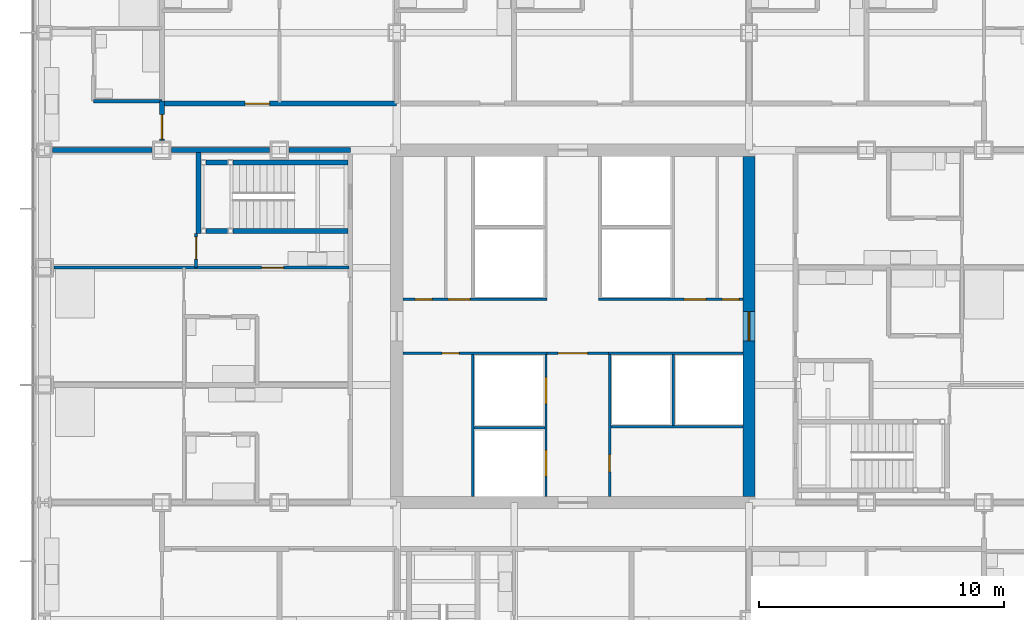
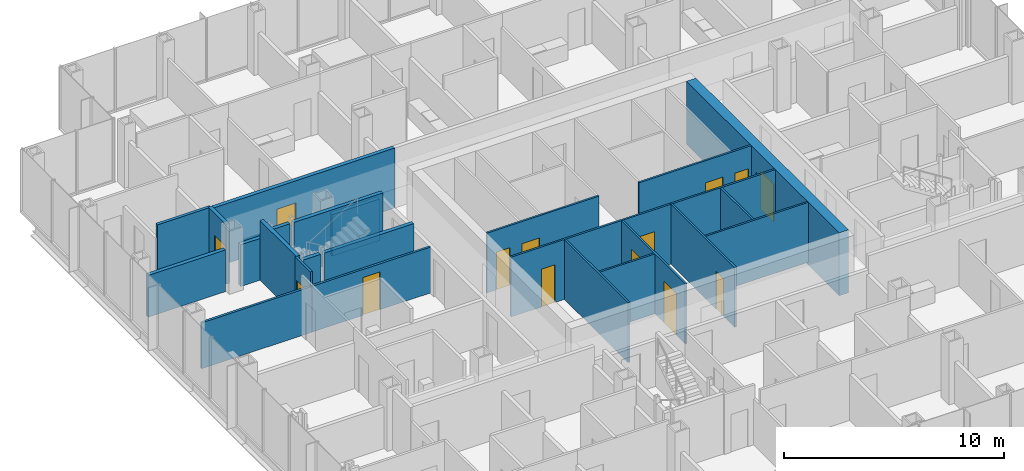
# One storey, part 15 of 21: 26 walls, 14 doors, 14 openings.
"""IFC4 building model written with IfcOpenShell, lengths in metres."""

from ifc_helpers import new_model, si_unit, direction, frame, frame_2d, origin, place, context, subcontext, project, spatial, rectangle, extrude, material, layer, layer_set, type_object, element, fill, save


model = new_model("IFC4")

# Units and contexts
model_context = context("Model", 3, precision=1e-05, world=origin(), true_north=direction((0.0, 1.0)))
body_context = subcontext(model_context, "Body", "Model", "MODEL_VIEW")
ifc_project = project(units=[si_unit("LENGTHUNIT", "METRE"), si_unit("AREAUNIT", "SQUARE_METRE"), si_unit("VOLUMEUNIT", "CUBIC_METRE"), si_unit("PLANEANGLEUNIT", "RADIAN"), si_unit("MASSUNIT", "GRAM", prefix="KILO")], contexts=[model_context])

# Site, building, storey
site_placement = place(None, origin())
site = spatial("IfcSite", under=ifc_project, at=site_placement, CompositionType="ELEMENT")
building_placement = place(site_placement, origin())
building = spatial("IfcBuilding", under=site, at=building_placement, Name="Kvirike Care Tower", CompositionType="ELEMENT")
storey_placement = place(building_placement, frame((0.0, 0.0, 30.5)))
storey = spatial("IfcBuildingStorey", under=building, at=storey_placement, Name="L07", CompositionType="ELEMENT", Elevation=30.5)

# Wall
ifc_material_1 = material(Name="Moisture-resistant board partition", Category="gypsum")
ifc_layer_1 = layer(ifc_material_1, 0.14990234375)
ifc_layer_set_1 = layer_set([ifc_layer_1], Name="BATHROOM WALL 150")
wall_type_1 = type_object("IfcWallType", Name="BATHROOM WALL 150", PredefinedType="PARTITIONING", material=ifc_layer_set_1)
wall_1_placement = place(storey_placement, frame((4.800048828125, 45.199951171875, 0.0), z_axis=(0.0, 0.0, 1.0), x_axis=(-1.0, 0.0, 0.0)))
element("IfcWall", 1, at=wall_1_placement, inside=storey, type_object=wall_type_1, Name="Bathroom Wall 150 L07", PredefinedType="PARTITIONING", context=body_context, shape_type="SweptSolid", body=[
    extrude(rectangle(XDim=2.800048828125, YDim=0.14990234375, at=frame_2d((1.39990234375, 0.0))), origin(), (0.0, 0.0, 1.0), 3.330078125),
])

# Wall, opening, door
ifc_material_2 = material(Name="Concrete C60/75", Category="concrete")
ifc_layer_2 = layer(ifc_material_2, 0.5)
ifc_layer_set_2 = layer_set([ifc_layer_2], Name="CORE WALL 500 C60-75")
wall_type_2 = type_object("IfcWallType", Name="CORE WALL 500 C60-75", PredefinedType="SHEAR", material=ifc_layer_set_2)
wall_2_placement = place(storey_placement, frame((28.800048828125, 29.050048828125, -0.169921875), z_axis=(0.0, 0.0, 1.0), x_axis=(0.0, 1.0, 0.0)))
wall_2 = element("IfcWall", 2, at=wall_2_placement, inside=storey, type_object=wall_type_2, Name="Core wall E L07", PredefinedType="SHEAR", context=body_context, shape_type="SweptSolid", body=[
    extrude(rectangle(XDim=13.89990234375, YDim=0.5, at=frame_2d((6.949951171875, 0.0))), origin(), (0.0, 0.0, 1.0), 3.5),
])
opening_1_placement = place(wall_2_placement, frame((6.35009765625, 0.0, 0.169921875)))
opening_1 = element("IfcOpeningElement", 3, at=opening_1_placement, cuts=wall_2, Name="Opening 07-081", PredefinedType="OPENING", context=body_context, shape_type="SweptSolid", body=[
    extrude(rectangle(XDim=1.199951171875, YDim=2.10009765625, at=frame_2d((0.60009765625, 1.050048828125))), frame((0.0, 0.260498046875, 0.0), z_axis=(0.0, -1.0, 0.0), x_axis=(1.0, 0.0, 0.0)), (0.0, 0.0, 1.0), 0.52099609375),
])
ifc_material_3 = material(Name="Timber door set", Category="wood")
door_type_1 = type_object("IfcDoorType", Name="CORE DOOR 1200", OperationType="SINGLE_SWING_LEFT", PredefinedType="DOOR", material=ifc_material_3)
door_1_placement = place(opening_1_placement, origin())
door_1 = element("IfcDoor", 4, at=door_1_placement, inside=storey, type_object=door_type_1, Name="Core door E L07", OperationType="SINGLE_SWING_LEFT", OverallHeight=2.10009765625, OverallWidth=1.199951171875, PredefinedType="DOOR", context=body_context, shape_type="SweptSolid", body=[
    extrude(rectangle(XDim=1.199951171875, YDim=2.10009765625, at=frame_2d((0.60009765625, 1.050048828125))), frame((0.0, 0.02685546875, 0.0), z_axis=(0.0, -1.0, 0.0), x_axis=(1.0, 0.0, 0.0)), (0.0, 0.0, 1.0), 0.053955078125),
])
fill(opening_1, door_1)

ifc_material_4 = material(Name="Plasterboard corridor wall", Category="gypsum")
ifc_layer_3 = layer(ifc_material_4, 0.199951171875)
ifc_layer_set_3 = layer_set([ifc_layer_3], Name="CORRIDOR WALL 200")
wall_type_3 = type_object("IfcWallType", Name="CORRIDOR WALL 200", PredefinedType="PARTITIONING", material=ifc_layer_set_3)
wall_3_placement = place(storey_placement, frame((14.39990234375, 45.10009765625, 0.0), z_axis=(0.0, 0.0, 1.0), x_axis=(-1.0, 0.0, 0.0)))
wall_3 = element("IfcWall", 5, at=wall_3_placement, inside=storey, type_object=wall_type_3, Name="Corridor Wall 200 L07", PredefinedType="PARTITIONING", context=body_context, shape_type="SweptSolid", body=[
    extrude(rectangle(XDim=9.599853515625, YDim=0.199951171875, at=frame_2d((4.7998046875, 0.0))), origin(), (0.0, 0.0, 1.0), 3.330078125),
])
opening_2_placement = place(wall_3_placement, frame((5.199951171875, 0.0, 0.0)))
opening_2 = element("IfcOpeningElement", 6, at=opening_2_placement, cuts=wall_3, Name="Opening 07-024", PredefinedType="OPENING", context=body_context, shape_type="SweptSolid", body=[
    extrude(rectangle(XDim=1.0, YDim=2.10009765625, at=frame_2d((0.5, 1.050048828125))), frame((0.0, 0.110595703125, 0.0), z_axis=(0.0, -1.0, 0.0), x_axis=(1.0, 0.0, 0.0)), (0.0, 0.0, 1.0), 0.220947265625),
])
ifc_material_5 = material(Name="Timber door set", Category="wood")
door_type_2 = type_object("IfcDoorType", Name="FLAT ENTRANCE DOOR 1000", OperationType="SINGLE_SWING_LEFT", PredefinedType="DOOR", material=ifc_material_5)
door_2_placement = place(opening_2_placement, frame((1.0, 0.0, 0.0), z_axis=(0.0, 0.0, 1.0), x_axis=(-1.0, 0.0, 0.0)))
door_2 = element("IfcDoor", 7, at=door_2_placement, inside=storey, type_object=door_type_2, Name="One-bedroom apartment entrance", OperationType="SINGLE_SWING_LEFT", OverallHeight=2.10009765625, OverallWidth=1.0, PredefinedType="DOOR", context=body_context, shape_type="SweptSolid", body=[
    extrude(rectangle(XDim=1.0, YDim=2.10009765625, at=frame_2d((0.5, 1.050048828125))), frame((0.0, 0.02685546875, 0.0), z_axis=(0.0, -1.0, 0.0), x_axis=(1.0, 0.0, 0.0)), (0.0, 0.0, 1.0), 0.053955078125),
])
fill(opening_2, door_2)

wall_4_placement = place(storey_placement, frame((4.800048828125, 45.199951171875, 0.0), z_axis=(0.0, 0.0, 1.0), x_axis=(0.0, -1.0, 0.0)))
wall_4 = element("IfcWall", 8, at=wall_4_placement, inside=storey, type_object=wall_type_3, Name="Corridor Wall 200 L07", PredefinedType="PARTITIONING", context=body_context, shape_type="SweptSolid", body=[
    extrude(rectangle(XDim=1.60498046875, YDim=0.199951171875, at=frame_2d((0.802490234375, 0.0))), origin(), (0.0, 0.0, 1.0), 3.330078125),
])
opening_3_placement = place(wall_4_placement, frame((0.550048828125, 0.0, 0.0)))
opening_3 = element("IfcOpeningElement", 9, at=opening_3_placement, cuts=wall_4, Name="Opening 07-025", PredefinedType="OPENING", context=body_context, shape_type="SweptSolid", body=[
    extrude(rectangle(XDim=1.0, YDim=2.10009765625, at=frame_2d((0.5, 1.050048828125))), frame((0.0, 0.110595703125, 0.0), z_axis=(0.0, -1.0, 0.0), x_axis=(1.0, 0.0, 0.0)), (0.0, 0.0, 1.0), 0.220947265625),
])
door_3_placement = place(opening_3_placement, frame((1.0, 0.0, 0.0), z_axis=(0.0, 0.0, 1.0), x_axis=(-1.0, 0.0, 0.0)))
door_3 = element("IfcDoor", 10, at=door_3_placement, inside=storey, type_object=door_type_2, Name="Studio apartment entrance", OperationType="SINGLE_SWING_RIGHT", OverallHeight=2.10009765625, OverallWidth=1.0, PredefinedType="DOOR", context=body_context, shape_type="SweptSolid", body=[
    extrude(rectangle(XDim=1.0, YDim=2.10009765625, at=frame_2d((0.5, 1.050048828125))), frame((0.0, 0.02685546875, 0.0), z_axis=(0.0, -1.0, 0.0), x_axis=(1.0, 0.0, 0.0)), (0.0, 0.0, 1.0), 0.053955078125),
])
fill(opening_3, door_3)

ifc_material_6 = material(Name="Plasterboard partition", Category="gypsum")
ifc_layer_4 = layer(ifc_material_6, 0.1201171875)
ifc_layer_set_4 = layer_set([ifc_layer_4], Name="PARTITION 120")
wall_type_4 = type_object("IfcWallType", Name="PARTITION 120", PredefinedType="PARTITIONING", material=ifc_layer_set_4)
wall_5_placement = place(storey_placement, frame((6.199951171875, 38.39990234375, 0.0), z_axis=(0.0, 0.0, 1.0), x_axis=(1.0, 0.0, 0.0)))
wall_5 = element("IfcWall", 11, at=wall_5_placement, inside=storey, type_object=wall_type_4, Name="Partition 120 L07", PredefinedType="PARTITIONING", context=body_context, shape_type="SweptSolid", body=[
    extrude(rectangle(XDim=6.25, YDim=0.1201171875, at=frame_2d((3.125, 0.0))), origin(), (0.0, 0.0, 1.0), 2.550048828125),
])
opening_4_placement = place(wall_5_placement, frame((2.675048828125, 0.0, 0.0)))
opening_4 = element("IfcOpeningElement", 12, at=opening_4_placement, cuts=wall_5, Name="Opening 07-010", PredefinedType="OPENING", context=body_context, shape_type="SweptSolid", body=[
    extrude(rectangle(XDim=0.89990234375, YDim=2.10009765625, at=frame_2d((0.449951171875, 1.050048828125))), frame((0.0, 0.070556640625, 0.0), z_axis=(0.0, -1.0, 0.0), x_axis=(1.0, 0.0, 0.0)), (0.0, 0.0, 1.0), 0.14111328125),
])
ifc_material_7 = material(Name="Timber door set", Category="wood")
door_type_3 = type_object("IfcDoorType", Name="INTERNAL DOOR 900", OperationType="SINGLE_SWING_LEFT", PredefinedType="DOOR", material=ifc_material_7)
door_4_placement = place(opening_4_placement, origin())
door_4 = element("IfcDoor", 13, at=door_4_placement, inside=storey, type_object=door_type_3, Name="Hall door", OperationType="SINGLE_SWING_RIGHT", OverallHeight=2.10009765625, OverallWidth=0.89990234375, PredefinedType="DOOR", context=body_context, shape_type="SweptSolid", body=[
    extrude(rectangle(XDim=0.89990234375, YDim=2.10009765625, at=frame_2d((0.449951171875, 1.050048828125))), frame((0.0, 0.02197265625, 0.0), z_axis=(0.0, -1.0, 0.0), x_axis=(1.0, 0.0, 0.0)), (0.0, 0.0, 1.0), 0.0439453125),
])
fill(opening_4, door_4)

wall_6_placement = place(storey_placement, frame((6.199951171875, 39.800048828125, 0.0), z_axis=(0.0, 0.0, 1.0), x_axis=(0.0, -1.0, 0.0)))
wall_6 = element("IfcWall", 14, at=wall_6_placement, inside=storey, type_object=wall_type_4, Name="Partition 120 L07", PredefinedType="PARTITIONING", context=body_context, shape_type="SweptSolid", body=[
    extrude(rectangle(XDim=1.400146484375, YDim=0.1201171875, at=frame_2d((0.7001953125, 0.0))), origin(), (0.0, 0.0, 1.0), 3.330078125),
])
opening_5_placement = place(wall_6_placement, frame((0.14990234375, 0.0, 0.0)))
opening_5 = element("IfcOpeningElement", 15, at=opening_5_placement, cuts=wall_6, Name="Opening 07-011", PredefinedType="OPENING", context=body_context, shape_type="SweptSolid", body=[
    extrude(rectangle(XDim=0.89990234375, YDim=2.10009765625, at=frame_2d((0.449951171875, 1.050048828125))), frame((0.0, 0.070556640625, 0.0), z_axis=(0.0, -1.0, 0.0), x_axis=(1.0, 0.0, 0.0)), (0.0, 0.0, 1.0), 0.14111328125),
])
door_5_placement = place(opening_5_placement, origin())
door_5 = element("IfcDoor", 16, at=door_5_placement, inside=storey, type_object=door_type_3, Name="Apartment living room door", OperationType="SINGLE_SWING_RIGHT", OverallHeight=2.10009765625, OverallWidth=0.89990234375, PredefinedType="DOOR", context=body_context, shape_type="SweptSolid", body=[
    extrude(rectangle(XDim=0.89990234375, YDim=2.10009765625, at=frame_2d((0.449951171875, 1.050048828125))), frame((0.0, 0.02197265625, 0.0), z_axis=(0.0, -1.0, 0.0), x_axis=(1.0, 0.0, 0.0)), (0.0, 0.0, 1.0), 0.0439453125),
])
fill(opening_5, door_5)

# Walls
wall_7_placement = place(storey_placement, frame((0.39501953125, 38.39990234375, 0.0), z_axis=(0.0, 0.0, 1.0), x_axis=(1.0, 0.0, 0.0)))
element("IfcWall", 17, at=wall_7_placement, inside=storey, type_object=wall_type_4, Name="Partition 120 L07", PredefinedType="PARTITIONING", context=body_context, shape_type="SweptSolid", body=[
    extrude(rectangle(XDim=5.804931640625, YDim=0.1201171875, at=frame_2d((2.90234375, 0.0))), origin(), (0.0, 0.0, 1.0), 2.550048828125),
])
ifc_material_8 = material(Name="Plasterboard party wall", Category="gypsum")
ifc_layer_5 = layer(ifc_material_8, 0.199951171875)
ifc_layer_set_5 = layer_set([ifc_layer_5], Name="PARTY WALL 200")
wall_type_5 = type_object("IfcWallType", Name="PARTY WALL 200", PredefinedType="PARTITIONING", material=ifc_layer_set_5)
wall_8_placement = place(storey_placement, frame((12.5, 43.199951171875, 0.0), z_axis=(0.0, 0.0, 1.0), x_axis=(-1.0, 0.0, 0.0)))
element("IfcWall", 18, at=wall_8_placement, inside=storey, type_object=wall_type_5, Name="Party Wall 200 L07", PredefinedType="PARTITIONING", context=body_context, shape_type="SweptSolid", body=[
    extrude(rectangle(XDim=2.5048828125, YDim=0.199951171875, at=frame_2d((1.25244140625, 0.0))), origin(), (0.0, 0.0, 1.0), 2.320068359375),
])
wall_9_placement = place(storey_placement, frame((9.205078125, 43.199951171875, 0.0), z_axis=(0.0, 0.0, 1.0), x_axis=(-1.0, 0.0, 0.0)))
element("IfcWall", 19, at=wall_9_placement, inside=storey, type_object=wall_type_5, Name="Party Wall 200 L07", PredefinedType="PARTITIONING", context=body_context, shape_type="SweptSolid", body=[
    extrude(rectangle(XDim=4.010009765625, YDim=0.199951171875, at=frame_2d((2.0048828125, 0.0))), origin(), (0.0, 0.0, 1.0), 2.320068359375),
])
wall_10_placement = place(storey_placement, frame((4.405029296875, 43.199951171875, 0.0), z_axis=(0.0, 0.0, 1.0), x_axis=(-1.0, 0.0, 0.0)))
element("IfcWall", 20, at=wall_10_placement, inside=storey, type_object=wall_type_5, Name="Party Wall 200 L07", PredefinedType="PARTITIONING", context=body_context, shape_type="SweptSolid", body=[
    extrude(rectangle(XDim=4.0849609375, YDim=0.199951171875, at=frame_2d((2.04248046875, 0.0))), origin(), (0.0, 0.0, 1.0), 2.320068359375),
])

# Wall, openings, doors
ifc_material_9 = material(Name="Gypsum shaft wall system", Category="gypsum")
ifc_layer_6 = layer(ifc_material_9, 0.10009765625)
ifc_layer_set_6 = layer_set([ifc_layer_6], Name="SHAFT WALL 100")
wall_type_6 = type_object("IfcWallType", Name="SHAFT WALL 100", PredefinedType="SOLIDWALL", material=ifc_layer_set_6)
wall_11_placement = place(storey_placement, frame((20.5, 29.050048828125, 0.0), z_axis=(0.0, 0.0, 1.0), x_axis=(0.0, 1.0, 0.0)))
wall_11 = element("IfcWall", 21, at=wall_11_placement, inside=storey, type_object=wall_type_6, Name="Shaft Wall 100 L07", PredefinedType="SOLIDWALL", context=body_context, shape_type="SweptSolid", body=[
    extrude(rectangle(XDim=5.800048828125, YDim=0.10009765625, at=frame_2d((2.89990234375, 0.0))), origin(), (0.0, 0.0, 1.0), 3.330078125),
])
opening_6_placement = place(wall_11_placement, frame((0.800048828125, 0.0, 0.0)))
opening_6 = element("IfcOpeningElement", 22, at=opening_6_placement, cuts=wall_11, Name="Opening 07-068", PredefinedType="OPENING", context=body_context, shape_type="SweptSolid", body=[
    extrude(rectangle(XDim=1.10009765625, YDim=2.300048828125, at=frame_2d((0.550048828125, 1.14990234375))), frame((0.0, 0.060546875, 0.0), z_axis=(0.0, -1.0, 0.0), x_axis=(1.0, 0.0, 0.0)), (0.0, 0.0, 1.0), 0.12109375),
])
opening_7_placement = place(wall_11_placement, frame((3.77490234375, 0.0, 0.0)))
opening_7 = element("IfcOpeningElement", 23, at=opening_7_placement, cuts=wall_11, Name="Opening 07-069", PredefinedType="OPENING", context=body_context, shape_type="SweptSolid", body=[
    extrude(rectangle(XDim=1.10009765625, YDim=2.300048828125, at=frame_2d((0.550048828125, 1.14990234375))), frame((0.0, 0.060546875, 0.0), z_axis=(0.0, -1.0, 0.0), x_axis=(1.0, 0.0, 0.0)), (0.0, 0.0, 1.0), 0.12109375),
])
ifc_material_10 = material(Name="Aluminium door frame", Category="aluminium")
door_type_4 = type_object("IfcDoorType", Name="FIRE-FIGHTING LIFT LANDING DOOR 1100", OperationType="SLIDING_TO_LEFT", PredefinedType="DOOR", material=ifc_material_10)
door_6_placement = place(opening_6_placement, origin())
door_6 = element("IfcDoor", 24, at=door_6_placement, inside=storey, type_object=door_type_4, Name="Lift FF1 landing door", OperationType="SLIDING_TO_LEFT", OverallHeight=2.300048828125, OverallWidth=1.10009765625, PredefinedType="DOOR", context=body_context, shape_type="SweptSolid", body=[
    extrude(rectangle(XDim=1.10009765625, YDim=2.300048828125, at=frame_2d((0.550048828125, 1.14990234375))), frame((0.0, 0.0498046875, 0.0), z_axis=(0.0, -1.0, 0.0), x_axis=(1.0, 0.0, 0.0)), (0.0, 0.0, 1.0), 0.099609375),
])
fill(opening_6, door_6)
door_7_placement = place(opening_7_placement, origin())
door_7 = element("IfcDoor", 25, at=door_7_placement, inside=storey, type_object=door_type_4, Name="Lift FF2 landing door", OperationType="SLIDING_TO_LEFT", OverallHeight=2.300048828125, OverallWidth=1.10009765625, PredefinedType="DOOR", context=body_context, shape_type="SweptSolid", body=[
    extrude(rectangle(XDim=1.10009765625, YDim=2.300048828125, at=frame_2d((0.550048828125, 1.14990234375))), frame((0.0, 0.0498046875, 0.0), z_axis=(0.0, -1.0, 0.0), x_axis=(1.0, 0.0, 0.0)), (0.0, 0.0, 1.0), 0.099609375),
])
fill(opening_7, door_7)

# Wall, opening, door
wall_12_placement = place(storey_placement, frame((23.10009765625, 29.050048828125, 0.0), z_axis=(0.0, 0.0, 1.0), x_axis=(0.0, 1.0, 0.0)))
wall_12 = element("IfcWall", 26, at=wall_12_placement, inside=storey, type_object=wall_type_6, Name="Shaft Wall 100 L07", PredefinedType="SOLIDWALL", context=body_context, shape_type="SweptSolid", body=[
    extrude(rectangle(XDim=5.800048828125, YDim=0.10009765625, at=frame_2d((2.89990234375, 0.0))), origin(), (0.0, 0.0, 1.0), 3.330078125),
])
opening_8_placement = place(wall_12_placement, frame((1.0, 0.0, 0.0)))
opening_8 = element("IfcOpeningElement", 27, at=opening_8_placement, cuts=wall_12, Name="Opening 07-072", PredefinedType="OPENING", context=body_context, shape_type="SweptSolid", body=[
    extrude(rectangle(XDim=0.699951171875, YDim=2.10009765625, at=frame_2d((0.35009765625, 1.050048828125))), frame((0.0, 0.060546875, 0.0), z_axis=(0.0, -1.0, 0.0), x_axis=(1.0, 0.0, 0.0)), (0.0, 0.0, 1.0), 0.12109375),
])
ifc_material_11 = material(Name="Timber door set", Category="wood")
door_type_5 = type_object("IfcDoorType", Name="RISER DOOR 700", OperationType="SINGLE_SWING_LEFT", PredefinedType="DOOR", material=ifc_material_11)
door_8_placement = place(opening_8_placement, origin())
door_8 = element("IfcDoor", 28, at=door_8_placement, inside=storey, type_object=door_type_5, Name="Riser door", OperationType="SINGLE_SWING_RIGHT", OverallHeight=2.10009765625, OverallWidth=0.699951171875, PredefinedType="DOOR", context=body_context, shape_type="SweptSolid", body=[
    extrude(rectangle(XDim=0.699951171875, YDim=2.10009765625, at=frame_2d((0.35009765625, 1.050048828125))), frame((0.0, 0.02685546875, 0.0), z_axis=(0.0, -1.0, 0.0), x_axis=(1.0, 0.0, 0.0)), (0.0, 0.0, 1.0), 0.053955078125),
])
fill(opening_8, door_8)

wall_13_placement = place(storey_placement, frame((14.64990234375, 34.89990234375, 0.0), z_axis=(0.0, 0.0, 1.0), x_axis=(1.0, 0.0, 0.0)))
wall_13 = element("IfcWall", 29, at=wall_13_placement, inside=storey, type_object=wall_type_6, Name="Shaft Wall 100 L07", PredefinedType="SOLIDWALL", context=body_context, shape_type="SweptSolid", body=[
    extrude(rectangle(XDim=5.900146484375, YDim=0.10009765625, at=frame_2d((2.9501953125, 0.0))), origin(), (0.0, 0.0, 1.0), 3.330078125),
])
opening_9_placement = place(wall_13_placement, frame((1.60009765625, 0.0, 0.0)))
opening_9 = element("IfcOpeningElement", 30, at=opening_9_placement, cuts=wall_13, Name="Opening 07-073", PredefinedType="OPENING", context=body_context, shape_type="SweptSolid", body=[
    extrude(rectangle(XDim=0.699951171875, YDim=2.10009765625, at=frame_2d((0.35009765625, 1.050048828125))), frame((0.0, 0.060546875, 0.0), z_axis=(0.0, -1.0, 0.0), x_axis=(1.0, 0.0, 0.0)), (0.0, 0.0, 1.0), 0.12109375),
])
door_9_placement = place(opening_9_placement, frame((0.699951171875, 0.0, 0.0), z_axis=(0.0, 0.0, 1.0), x_axis=(-1.0, 0.0, 0.0)))
door_9 = element("IfcDoor", 31, at=door_9_placement, inside=storey, type_object=door_type_5, Name="Riser door", OperationType="SINGLE_SWING_RIGHT", OverallHeight=2.10009765625, OverallWidth=0.699951171875, PredefinedType="DOOR", context=body_context, shape_type="SweptSolid", body=[
    extrude(rectangle(XDim=0.699951171875, YDim=2.10009765625, at=frame_2d((0.35009765625, 1.050048828125))), frame((0.0, 0.02685546875, 0.0), z_axis=(0.0, -1.0, 0.0), x_axis=(1.0, 0.0, 0.0)), (0.0, 0.0, 1.0), 0.053955078125),
])
fill(opening_9, door_9)

# Wall
wall_14_placement = place(storey_placement, frame((23.050048828125, 34.89990234375, 0.0), z_axis=(0.0, 0.0, 1.0), x_axis=(1.0, 0.0, 0.0)))
element("IfcWall", 32, at=wall_14_placement, inside=storey, type_object=wall_type_6, Name="Shaft Wall 100 L07", PredefinedType="SOLIDWALL", context=body_context, shape_type="SweptSolid", body=[
    extrude(rectangle(XDim=5.5, YDim=0.10009765625, at=frame_2d((2.75, 0.0))), origin(), (0.0, 0.0, 1.0), 3.330078125),
])

# Wall, openings, doors
wall_15_placement = place(storey_placement, frame((14.64990234375, 37.10009765625, 0.0), z_axis=(0.0, 0.0, 1.0), x_axis=(1.0, 0.0, 0.0)))
wall_15 = element("IfcWall", 33, at=wall_15_placement, inside=storey, type_object=wall_type_6, Name="Shaft Wall 100 L07", PredefinedType="SOLIDWALL", context=body_context, shape_type="SweptSolid", body=[
    extrude(rectangle(XDim=5.900146484375, YDim=0.10009765625, at=frame_2d((2.9501953125, 0.0))), origin(), (0.0, 0.0, 1.0), 3.330078125),
])
opening_10_placement = place(wall_15_placement, frame((0.5, 0.0, 0.0)))
opening_10 = element("IfcOpeningElement", 34, at=opening_10_placement, cuts=wall_15, Name="Opening 07-074", PredefinedType="OPENING", context=body_context, shape_type="SweptSolid", body=[
    extrude(rectangle(XDim=0.699951171875, YDim=2.10009765625, at=frame_2d((0.35009765625, 1.050048828125))), frame((0.0, 0.060546875, 0.0), z_axis=(0.0, -1.0, 0.0), x_axis=(1.0, 0.0, 0.0)), (0.0, 0.0, 1.0), 0.12109375),
])
opening_11_placement = place(wall_15_placement, frame((1.85009765625, 0.0, 0.0)))
opening_11 = element("IfcOpeningElement", 35, at=opening_11_placement, cuts=wall_15, Name="Opening 07-075", PredefinedType="OPENING", context=body_context, shape_type="SweptSolid", body=[
    extrude(rectangle(XDim=0.89990234375, YDim=2.10009765625, at=frame_2d((0.449951171875, 1.050048828125))), frame((0.0, 0.060546875, 0.0), z_axis=(0.0, -1.0, 0.0), x_axis=(1.0, 0.0, 0.0)), (0.0, 0.0, 1.0), 0.12109375),
])
door_10_placement = place(opening_10_placement, origin())
door_10 = element("IfcDoor", 36, at=door_10_placement, inside=storey, type_object=door_type_5, Name="Riser door", OperationType="SINGLE_SWING_RIGHT", OverallHeight=2.10009765625, OverallWidth=0.699951171875, PredefinedType="DOOR", context=body_context, shape_type="SweptSolid", body=[
    extrude(rectangle(XDim=0.699951171875, YDim=2.10009765625, at=frame_2d((0.35009765625, 1.050048828125))), frame((0.0, 0.02685546875, 0.0), z_axis=(0.0, -1.0, 0.0), x_axis=(1.0, 0.0, 0.0)), (0.0, 0.0, 1.0), 0.053955078125),
])
fill(opening_10, door_10)
ifc_material_12 = material(Name="Timber door set", Category="wood")
door_type_6 = type_object("IfcDoorType", Name="STORE DOOR 900", OperationType="SINGLE_SWING_LEFT", PredefinedType="DOOR", material=ifc_material_12)
door_11_placement = place(opening_11_placement, origin())
door_11 = element("IfcDoor", 37, at=door_11_placement, inside=storey, type_object=door_type_6, Name="Vending and ice room door", OperationType="SINGLE_SWING_LEFT", OverallHeight=2.10009765625, OverallWidth=0.89990234375, PredefinedType="DOOR", context=body_context, shape_type="SweptSolid", body=[
    extrude(rectangle(XDim=0.89990234375, YDim=2.10009765625, at=frame_2d((0.449951171875, 1.050048828125))), frame((0.0, 0.02685546875, 0.0), z_axis=(0.0, -1.0, 0.0), x_axis=(1.0, 0.0, 0.0)), (0.0, 0.0, 1.0), 0.053955078125),
])
fill(opening_11, door_11)

wall_16_placement = place(storey_placement, frame((22.64990234375, 37.10009765625, 0.0), z_axis=(0.0, 0.0, 1.0), x_axis=(1.0, 0.0, 0.0)))
wall_16 = element("IfcWall", 38, at=wall_16_placement, inside=storey, type_object=wall_type_6, Name="Shaft Wall 100 L07", PredefinedType="SOLIDWALL", context=body_context, shape_type="SweptSolid", body=[
    extrude(rectangle(XDim=5.900146484375, YDim=0.10009765625, at=frame_2d((2.9501953125, 0.0))), origin(), (0.0, 0.0, 1.0), 3.330078125),
])
opening_12_placement = place(wall_16_placement, frame((3.5, 0.0, 0.0)))
opening_12 = element("IfcOpeningElement", 39, at=opening_12_placement, cuts=wall_16, Name="Opening 07-076", PredefinedType="OPENING", context=body_context, shape_type="SweptSolid", body=[
    extrude(rectangle(XDim=0.89990234375, YDim=2.10009765625, at=frame_2d((0.449951171875, 1.050048828125))), frame((0.0, 0.060546875, 0.0), z_axis=(0.0, -1.0, 0.0), x_axis=(1.0, 0.0, 0.0)), (0.0, 0.0, 1.0), 0.12109375),
])
opening_13_placement = place(wall_16_placement, frame((5.050048828125, 0.0, 0.0)))
opening_13 = element("IfcOpeningElement", 40, at=opening_13_placement, cuts=wall_16, Name="Opening 07-077", PredefinedType="OPENING", context=body_context, shape_type="SweptSolid", body=[
    extrude(rectangle(XDim=0.699951171875, YDim=2.10009765625, at=frame_2d((0.35009765625, 1.050048828125))), frame((0.0, 0.060546875, 0.0), z_axis=(0.0, -1.0, 0.0), x_axis=(1.0, 0.0, 0.0)), (0.0, 0.0, 1.0), 0.12109375),
])
door_12_placement = place(opening_13_placement, origin())
door_12 = element("IfcDoor", 41, at=door_12_placement, inside=storey, type_object=door_type_5, Name="Riser door", OperationType="SINGLE_SWING_RIGHT", OverallHeight=2.10009765625, OverallWidth=0.699951171875, PredefinedType="DOOR", context=body_context, shape_type="SweptSolid", body=[
    extrude(rectangle(XDim=0.699951171875, YDim=2.10009765625, at=frame_2d((0.35009765625, 1.050048828125))), frame((0.0, 0.02685546875, 0.0), z_axis=(0.0, -1.0, 0.0), x_axis=(1.0, 0.0, 0.0)), (0.0, 0.0, 1.0), 0.053955078125),
])
fill(opening_13, door_12)
door_13_placement = place(opening_12_placement, origin())
door_13 = element("IfcDoor", 42, at=door_13_placement, inside=storey, type_object=door_type_6, Name="Records store door", OperationType="SINGLE_SWING_LEFT", OverallHeight=2.10009765625, OverallWidth=0.89990234375, PredefinedType="DOOR", context=body_context, shape_type="SweptSolid", body=[
    extrude(rectangle(XDim=0.89990234375, YDim=2.10009765625, at=frame_2d((0.449951171875, 1.050048828125))), frame((0.0, 0.02685546875, 0.0), z_axis=(0.0, -1.0, 0.0), x_axis=(1.0, 0.0, 0.0)), (0.0, 0.0, 1.0), 0.053955078125),
])
fill(opening_12, door_13)

# Wall, opening, door
wall_17_placement = place(storey_placement, frame((20.550048828125, 34.89990234375, 0.0), z_axis=(0.0, 0.0, 1.0), x_axis=(1.0, 0.0, 0.0)))
wall_17 = element("IfcWall", 43, at=wall_17_placement, inside=storey, type_object=wall_type_6, Name="Shaft Wall 100 L07", PredefinedType="SOLIDWALL", context=body_context, shape_type="SweptSolid", body=[
    extrude(rectangle(XDim=2.5, YDim=0.10009765625, at=frame_2d((1.25, 0.0))), origin(), (0.0, 0.0, 1.0), 3.330078125),
])
opening_14_placement = place(wall_17_placement, frame((0.449951171875, 0.0, 0.0)))
opening_14 = element("IfcOpeningElement", 44, at=opening_14_placement, cuts=wall_17, Name="Opening 07-078", PredefinedType="OPENING", context=body_context, shape_type="SweptSolid", body=[
    extrude(rectangle(XDim=1.199951171875, YDim=2.10009765625, at=frame_2d((0.60009765625, 1.050048828125))), frame((0.0, 0.060546875, 0.0), z_axis=(0.0, -1.0, 0.0), x_axis=(1.0, 0.0, 0.0)), (0.0, 0.0, 1.0), 0.12109375),
])
door_14_placement = place(opening_14_placement, frame((1.199951171875, 0.0, 0.0), z_axis=(0.0, 0.0, 1.0), x_axis=(-1.0, 0.0, 0.0)))
door_14 = element("IfcDoor", 45, at=door_14_placement, inside=storey, type_object=door_type_1, Name="Fire-fighting lobby door", OperationType="SINGLE_SWING_LEFT", OverallHeight=2.10009765625, OverallWidth=1.199951171875, PredefinedType="DOOR", context=body_context, shape_type="SweptSolid", body=[
    extrude(rectangle(XDim=1.199951171875, YDim=2.10009765625, at=frame_2d((0.60009765625, 1.050048828125))), frame((0.0, 0.02685546875, 0.0), z_axis=(0.0, -1.0, 0.0), x_axis=(1.0, 0.0, 0.0)), (0.0, 0.0, 1.0), 0.053955078125),
])
fill(opening_14, door_14)

# Walls
wall_18_placement = place(storey_placement, frame((17.5, 29.050048828125, 0.0), z_axis=(0.0, 0.0, 1.0), x_axis=(0.0, 1.0, 0.0)))
element("IfcWall", 46, at=wall_18_placement, inside=storey, type_object=wall_type_6, Name="Shaft Wall 100 L07", PredefinedType="SOLIDWALL", context=body_context, shape_type="SweptSolid", body=[
    extrude(rectangle(XDim=5.800048828125, YDim=0.10009765625, at=frame_2d((2.89990234375, 0.0))), origin(), (0.0, 0.0, 1.0), 3.330078125),
])
wall_19_placement = place(storey_placement, frame((17.550048828125, 31.85009765625, 0.0), z_axis=(0.0, 0.0, 1.0), x_axis=(1.0, 0.0, 0.0)))
element("IfcWall", 47, at=wall_19_placement, inside=storey, type_object=wall_type_6, Name="Shaft Wall 100 L07", PredefinedType="SOLIDWALL", context=body_context, shape_type="SweptSolid", body=[
    extrude(rectangle(XDim=2.89990234375, YDim=0.10009765625, at=frame_2d((1.449951171875, 0.0))), origin(), (0.0, 0.0, 1.0), 3.330078125),
])
wall_20_placement = place(storey_placement, frame((25.699951171875, 31.949951171875, 0.0), z_axis=(0.0, 0.0, 1.0), x_axis=(0.0, 1.0, 0.0)))
element("IfcWall", 48, at=wall_20_placement, inside=storey, type_object=wall_type_6, Name="Shaft Wall 100 L07", PredefinedType="SOLIDWALL", context=body_context, shape_type="SweptSolid", body=[
    extrude(rectangle(XDim=2.900146484375, YDim=0.10009765625, at=frame_2d((1.4501953125, 0.0))), origin(), (0.0, 0.0, 1.0), 3.330078125),
])
wall_21_placement = place(storey_placement, frame((23.14990234375, 31.89990234375, 0.0), z_axis=(0.0, 0.0, 1.0), x_axis=(1.0, 0.0, 0.0)))
element("IfcWall", 49, at=wall_21_placement, inside=storey, type_object=wall_type_6, Name="Shaft Wall 100 L07", PredefinedType="SOLIDWALL", context=body_context, shape_type="SweptSolid", body=[
    extrude(rectangle(XDim=5.400146484375, YDim=0.10009765625, at=frame_2d((2.7001953125, 0.0))), origin(), (0.0, 0.0, 1.0), 3.330078125),
])
ifc_material_13 = material(Name="Concrete C40/50", Category="concrete")
ifc_layer_7 = layer(ifc_material_13, 0.199951171875)
ifc_layer_set_7 = layer_set([ifc_layer_7], Name="STAIR WALL 200")
wall_type_7 = type_object("IfcWallType", Name="STAIR WALL 200", PredefinedType="SOLIDWALL", material=ifc_layer_set_7)
wall_22_placement = place(storey_placement, frame((6.60009765625, 42.699951171875, 0.0), z_axis=(0.0, 0.0, 1.0), x_axis=(1.0, 0.0, 0.0)))
element("IfcWall", 50, at=wall_22_placement, inside=storey, type_object=wall_type_7, Name="Stair Wall 200 L07", PredefinedType="SOLIDWALL", context=body_context, shape_type="SweptSolid", body=[
    extrude(rectangle(XDim=0.89990234375, YDim=0.199951171875, at=frame_2d((0.449951171875, 0.0))), origin(), (0.0, 0.0, 1.0), 2.989990234375),
])
wall_23_placement = place(storey_placement, frame((7.699951171875, 42.699951171875, 0.0), z_axis=(0.0, 0.0, 1.0), x_axis=(1.0, 0.0, 0.0)))
element("IfcWall", 51, at=wall_23_placement, inside=storey, type_object=wall_type_7, Name="Stair Wall 200 L07", PredefinedType="SOLIDWALL", context=body_context, shape_type="SweptSolid", body=[
    extrude(rectangle(XDim=4.699951171875, YDim=0.199951171875, at=frame_2d((2.35009765625, 0.0))), origin(), (0.0, 0.0, 1.0), 2.989990234375),
])
wall_24_placement = place(storey_placement, frame((6.60009765625, 39.89990234375, 0.0), z_axis=(0.0, 0.0, 1.0), x_axis=(1.0, 0.0, 0.0)))
element("IfcWall", 52, at=wall_24_placement, inside=storey, type_object=wall_type_7, Name="Stair Wall 200 L07", PredefinedType="SOLIDWALL", context=body_context, shape_type="SweptSolid", body=[
    extrude(rectangle(XDim=0.89990234375, YDim=0.199951171875, at=frame_2d((0.449951171875, 0.0))), origin(), (0.0, 0.0, 1.0), 2.989990234375),
])
wall_25_placement = place(storey_placement, frame((7.699951171875, 39.89990234375, 0.0), z_axis=(0.0, 0.0, 1.0), x_axis=(1.0, 0.0, 0.0)))
element("IfcWall", 53, at=wall_25_placement, inside=storey, type_object=wall_type_7, Name="Stair Wall 200 L07", PredefinedType="SOLIDWALL", context=body_context, shape_type="SweptSolid", body=[
    extrude(rectangle(XDim=4.699951171875, YDim=0.199951171875, at=frame_2d((2.35009765625, 0.0))), origin(), (0.0, 0.0, 1.0), 2.989990234375),
])
wall_26_placement = place(storey_placement, frame((6.300048828125, 43.10009765625, 0.0), z_axis=(0.0, 0.0, 1.0), x_axis=(0.0, -1.0, 0.0)))
element("IfcWall", 54, at=wall_26_placement, inside=storey, type_object=wall_type_7, Name="Stair Wall 200 L07", PredefinedType="SOLIDWALL", context=body_context, shape_type="SweptSolid", body=[
    extrude(rectangle(XDim=3.300048828125, YDim=0.199951171875, at=frame_2d((1.64990234375, 0.0))), origin(), (0.0, 0.0, 1.0), 3.330078125),
])

save(model, "model.ifc")
